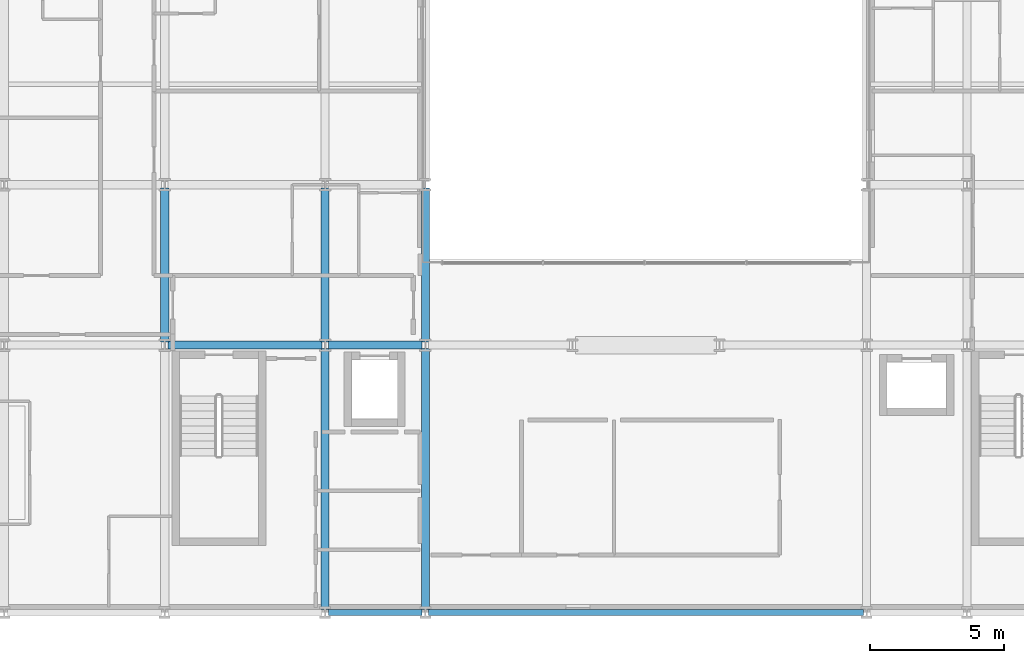
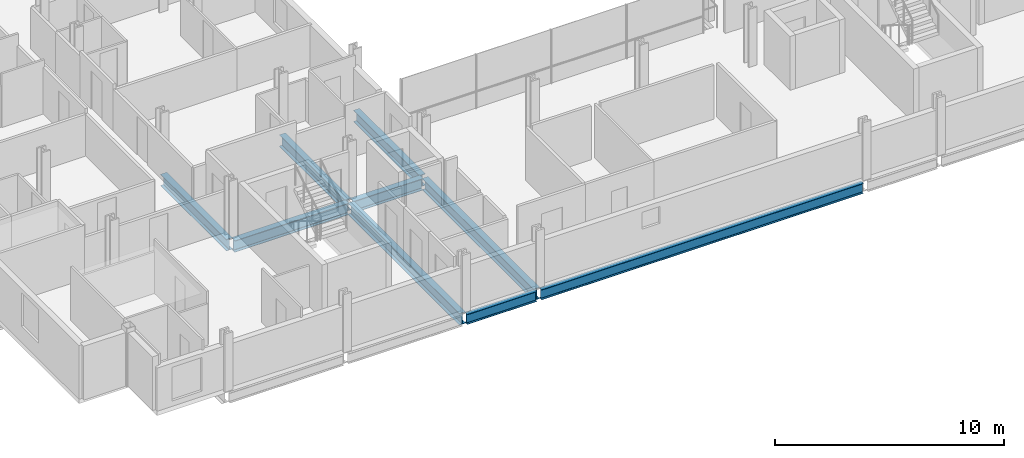
# One storey, part 3 of 38: 9 beams.
"""IFC4 building model written with IfcOpenShell, lengths in metres."""

import ifcopenshell
import ifcopenshell.guid

model = None  # the IFC model being written
_history = None  # IfcOwnerHistory: only IFC2X3 demands one
_inside = {}  # id of a spatial element -> (the spatial element, [elements in it])
_under = {}  # id of a project, library or spatial element -> (it, [spatial elements below it])
_declared = {}  # id of a project -> (the project, [libraries it declares])
_typed = {}  # id of a type object -> (the type object, [elements of that type])
_made_of = {}  # id of a material, layer set ... -> (it, [elements and type objects made of it])


def new_model(schema):
    """Start an empty IFC model of exactly this schema.

    Asked for "IFC4X3", IfcOpenShell would pick the latest addendum, in which some entities
    have other attributes; the version numbers below select the first issue.
    IFC2X3 requires an IfcOwnerHistory on every rooted entity: one is made here for all.
    """
    global model, _history
    if schema == "IFC4X3":
        model = ifcopenshell.file(schema_version=(4, 3, 0, 0))
    else:
        model = ifcopenshell.file(schema=schema)
    _inside.clear()
    _under.clear()
    _declared.clear()
    _typed.clear()
    _made_of.clear()
    _history = None
    if model.schema == "IFC2X3":
        org = make("IfcOrganization", Name="unknown")
        user = make(
            "IfcPersonAndOrganization",
            ThePerson=make("IfcPerson", FamilyName="unknown"),
            TheOrganization=org,
        )
        app = make(
            "IfcApplication",
            ApplicationDeveloper=org,
            Version="unknown",
            ApplicationFullName="unknown",
            ApplicationIdentifier="unknown",
        )
        _history = make(
            "IfcOwnerHistory",
            OwningUser=user,
            OwningApplication=app,
            ChangeAction="ADDED",
            CreationDate=0,
        )
    return model


def make(cls, **values):
    """One entity of the class cls with the attributes given. An attribute that is None is left unset."""
    return model.create_entity(
        cls, **{name: value for name, value in values.items() if value is not None}
    )


def rooted(cls, **values):
    """An entity with a GlobalId (a new one), such as an element, a storey or a relation."""
    return make(cls, GlobalId=ifcopenshell.guid.new(), OwnerHistory=_history, **values)


def si_unit(unit_type, name, prefix=None):
    """IfcSIUnit, for example si_unit("LENGTHUNIT", "METRE", prefix="MILLI")."""
    return make("IfcSIUnit", UnitType=unit_type, Prefix=prefix, Name=name)


def assignment(units):
    """IfcUnitAssignment: the units of a project."""
    return None if units is None else make("IfcUnitAssignment", Units=units)


def point(xyz):
    """IfcCartesianPoint."""
    return None if xyz is None else make("IfcCartesianPoint", Coordinates=xyz)


def direction(xyz):
    """IfcDirection."""
    return None if xyz is None else make("IfcDirection", DirectionRatios=xyz)


def frame(location, z_axis=None, x_axis=None):
    """IfcAxis2Placement3D, a coordinate frame: its origin and axes. An axis left out is left unset."""
    return make(
        "IfcAxis2Placement3D",
        Location=point(location),
        Axis=direction(z_axis),
        RefDirection=direction(x_axis),
    )


def frame_2d(location, x_axis=None):
    """IfcAxis2Placement2D, a coordinate frame in the plane: its origin and x axis."""
    return make(
        "IfcAxis2Placement2D", Location=point(location), RefDirection=direction(x_axis)
    )


def origin():
    """The frame at (0, 0, 0) with its axes left unset."""
    return frame((0.0, 0.0, 0.0))


def origin_2d():
    """The frame at (0, 0) in the plane with its x axis left unset."""
    return frame_2d((0.0, 0.0))


def place(relative_to, where):
    """IfcLocalPlacement: puts the frame where relative to a parent placement (None: the world)."""
    return make(
        "IfcLocalPlacement", PlacementRelTo=relative_to, RelativePlacement=where
    )


def context(
    kind, dimensions, precision=None, world=None, true_north=None, identifier=None
):
    """IfcGeometricRepresentationContext, for example the 3D "Model" context."""
    return make(
        "IfcGeometricRepresentationContext",
        ContextIdentifier=identifier,
        ContextType=kind,
        CoordinateSpaceDimension=dimensions,
        Precision=precision,
        WorldCoordinateSystem=world,
        TrueNorth=true_north,
    )


def subcontext(parent, identifier, kind, view, scale=None):
    """IfcGeometricRepresentationSubContext, for example "Body" below "Model"."""
    return make(
        "IfcGeometricRepresentationSubContext",
        ContextIdentifier=identifier,
        ContextType=kind,
        ParentContext=parent,
        TargetScale=scale,
        TargetView=view,
    )


def project(units=None, contexts=None):
    """IfcProject with its units and contexts."""
    return rooted(
        "IfcProject",
        Name="project",
        RepresentationContexts=contexts,
        UnitsInContext=assignment(units),
    )


def spatial(cls, under=None, at=None, **own):
    """A site, building, storey or space (cls), placed at a placement, below another one or the project."""
    s = rooted(cls, ObjectPlacement=at, **own)
    if under is not None:
        _under.setdefault(under.id(), (under, []))[1].append(s)
    return s


def profile(cls, at=None, kind="AREA", **sizes):
    """A parametric profile (cls). Its sizes go by their IFC names, for example OverallWidth=200.0."""
    return make(cls, ProfileType=kind, Position=at, **sizes)


def i_section(**sizes):
    """IfcIShapeProfileDef."""
    return profile("IfcIShapeProfileDef", **sizes)


def extrude(swept, where, along, depth):
    """IfcExtrudedAreaSolid: the profile swept, set in the frame where, extruded along a direction by depth."""
    return make(
        "IfcExtrudedAreaSolid",
        SweptArea=swept,
        Position=where,
        ExtrudedDirection=direction(along),
        Depth=depth,
    )


def shape(context_of_items, identifier, shape_type, items):
    """IfcShapeRepresentation: the items that make up one representation, for example the "Body"."""
    return make(
        "IfcShapeRepresentation",
        ContextOfItems=context_of_items,
        RepresentationIdentifier=identifier,
        RepresentationType=shape_type,
        Items=items,
    )


def material(Name=None, Category=None):
    """IfcMaterial."""
    return make("IfcMaterial", Name=Name, Category=Category)


def material_profile(
    of_material, cross_section, Name=None, Category=None, Priority=None
):
    """IfcMaterialProfile: a cross section and its material."""
    return make(
        "IfcMaterialProfile",
        Name=Name,
        Material=of_material,
        Profile=cross_section,
        Priority=Priority,
        Category=Category,
    )


def profile_set(profiles, Name=None, composite=None):
    """IfcMaterialProfileSet."""
    return make(
        "IfcMaterialProfileSet",
        Name=Name,
        MaterialProfiles=profiles,
        CompositeProfile=composite,
    )


def made_of(thing, what):
    """Note that an element or type object is made of a material, layer set ...; save() writes the relation."""
    if what is not None:
        _made_of.setdefault(what.id(), (what, []))[1].append(thing)
    return thing


def type_object(cls, material=None, **own):
    """A type object (cls), such as IfcWallType, which elements share."""
    return made_of(rooted(cls, **own), material)


def element(
    cls,
    number,
    at=None,
    inside=None,
    cuts=None,
    type_object=None,
    material=None,
    context=None,
    identifier="Body",
    shape_type=None,
    held_by="IfcProductDefinitionShape",
    body=None,
    shapes=None,
    **own,
):
    """One element of the class cls, such as IfcWall. Its Tag is "e" and its number.

    at: its placement. inside: the storey or other place that contains it. cuts: it is an
    opening in that element (IfcRelVoidsElement). A single representation is given by context,
    identifier, shape_type and body (its items); several are given by shapes. held_by: the class
    of the entity that holds the representations. save() writes the other relations.
    """
    e = rooted(cls, Tag="e%d" % number, ObjectPlacement=at, **own)
    if body is not None:
        shapes = [shape(context, identifier, shape_type, body)]
    if shapes is not None:
        e.Representation = make(held_by, Representations=shapes)
    if inside is not None:
        _inside.setdefault(inside.id(), (inside, []))[1].append(e)
    if cuts is not None:
        rooted(
            "IfcRelVoidsElement", RelatingBuildingElement=cuts, RelatedOpeningElement=e
        )
    if type_object is not None:
        _typed.setdefault(type_object.id(), (type_object, []))[1].append(e)
    return made_of(e, material)


def aggregate(whole, parts):
    """IfcRelAggregates: a whole, such as a stair, and the parts it consists of."""
    return rooted("IfcRelAggregates", RelatingObject=whole, RelatedObjects=parts)


def save(model, path):
    """Write the relations noted so far, then the file.

    IfcRelAggregates (storeys below a building ...), IfcRelContainedInSpatialStructure (elements
    in a storey), IfcRelDefinesByType, IfcRelAssociatesMaterial and IfcRelDeclares: one each for
    every whole, place, type object, material and project.
    """
    for whole, parts in _under.values():
        aggregate(whole, parts)
    for where, things in _inside.values():
        rooted(
            "IfcRelContainedInSpatialStructure",
            RelatedElements=things,
            RelatingStructure=where,
        )
    for kind, things in _typed.values():
        rooted("IfcRelDefinesByType", RelatedObjects=things, RelatingType=kind)
    for what, things in _made_of.values():
        rooted("IfcRelAssociatesMaterial", RelatedObjects=things, RelatingMaterial=what)
    for by, libraries in _declared.values():
        rooted("IfcRelDeclares", RelatingContext=by, RelatedDefinitions=libraries)
    model.write(path)


model = new_model("IFC4")

# Units and contexts
model_context = context("Model", 3, precision=1e-05, world=origin(), true_north=direction((0.0, 1.0)))
body_context = subcontext(model_context, "Body", "Model", "MODEL_VIEW")
ifc_project = project(units=[si_unit("LENGTHUNIT", "METRE"), si_unit("AREAUNIT", "SQUARE_METRE"), si_unit("VOLUMEUNIT", "CUBIC_METRE"), si_unit("PLANEANGLEUNIT", "RADIAN"), si_unit("MASSUNIT", "GRAM", prefix="KILO")], contexts=[model_context])

# Site, building, storey
site_placement = place(None, origin())
site = spatial("IfcSite", under=ifc_project, at=site_placement, CompositionType="ELEMENT")
building_placement = place(site_placement, origin())
building = spatial("IfcBuilding", under=site, at=building_placement, Name="Brevholm Reach", CompositionType="ELEMENT")
storey_placement = place(building_placement, frame((0.0, 0.0, 52.800048828125)))
storey = spatial("IfcBuildingStorey", under=building, at=storey_placement, Name="L14", CompositionType="ELEMENT", Elevation=52.800048828125)

# Beams
ifc_material_1 = material(Name="Structural Steel S355J2", Category="steel")
ifc_material_profile_1 = material_profile(ifc_material_1, i_section(OverallWidth=0.210693359375, OverallDepth=0.53955078125, WebThickness=0.01171875, FlangeThickness=0.018798828125, FilletRadius=0.0126953125, at=origin_2d()), Name="UKB 533x210x109")
ifc_profile_set_1 = profile_set([ifc_material_profile_1], Name="Structural Steel S355J2")
beam_type_1 = type_object("IfcBeamType", Name="BM-SP539", PredefinedType="SPANDREL", material=ifc_profile_set_1)
beam_1_placement = place(storey_placement, frame((18.1201171875, 0.0, -0.499755859375), z_axis=(1.0, 0.0, 0.0), x_axis=(0.0, 1.0, 0.0)))
element("IfcBeam", 1, at=beam_1_placement, inside=storey, type_object=beam_type_1, Name="L14 SP-01B Framing Beam", PredefinedType="SPANDREL", context=body_context, shape_type="SweptSolid", body=[
    extrude(i_section(OverallWidth=0.210693359375, OverallDepth=0.53955078125, WebThickness=0.01171875, FlangeThickness=0.018798828125, FilletRadius=0.0126953125, at=origin_2d()), origin(), (0.0, 0.0, 1.0), 3.509765625),
])
beam_2_placement = place(storey_placement, frame((21.8701171875, 0.0, -0.499755859375), z_axis=(1.0, 0.0, 0.0), x_axis=(0.0, 1.0, 0.0)))
element("IfcBeam", 2, at=beam_2_placement, inside=storey, type_object=beam_type_1, Name="L14 SP-01B Framing Beam", PredefinedType="SPANDREL", context=body_context, shape_type="SweptSolid", body=[
    extrude(i_section(OverallWidth=0.210693359375, OverallDepth=0.53955078125, WebThickness=0.01171875, FlangeThickness=0.018798828125, FilletRadius=0.0126953125, at=origin_2d()), origin(), (0.0, 0.0, 1.0), 16.259765625),
])
ifc_material_2 = material(Name="Structural Steel S355J2", Category="steel")
ifc_material_profile_2 = material_profile(ifc_material_2, i_section(OverallWidth=0.30712890625, OverallDepth=0.6201171875, WebThickness=0.01416015625, FlangeThickness=0.023681640625, FilletRadius=0.0166015625, at=origin_2d()), Name="UKB 610x305x179")
ifc_profile_set_2 = profile_set([ifc_material_profile_2], Name="Structural Steel S355J2")
beam_type_2 = type_object("IfcBeamType", Name="BM-UKB610H", PredefinedType="USERDEFINED", material=ifc_profile_set_2)
beam_3_placement = place(storey_placement, frame((12.1201171875, 10.0, -0.5400390625), z_axis=(1.0, 0.0, 0.0), x_axis=(0.0, 1.0, 0.0)))
element("IfcBeam", 3, at=beam_3_placement, inside=storey, type_object=beam_type_2, Name="L14 G-06 Framing Beam", ObjectType="GIRDER", PredefinedType="USERDEFINED", context=body_context, shape_type="SweptSolid", body=[
    extrude(i_section(OverallWidth=0.30712890625, OverallDepth=0.6201171875, WebThickness=0.01416015625, FlangeThickness=0.023681640625, FilletRadius=0.0166015625, at=origin_2d()), origin(), (0.0, 0.0, 1.0), 5.759765625),
])
beam_4_placement = place(storey_placement, frame((18.1201171875, 10.0, -0.5400390625), z_axis=(1.0, 0.0, 0.0), x_axis=(0.0, 1.0, 0.0)))
element("IfcBeam", 4, at=beam_4_placement, inside=storey, type_object=beam_type_2, Name="L14 G-06 Framing Beam", ObjectType="GIRDER", PredefinedType="USERDEFINED", context=body_context, shape_type="SweptSolid", body=[
    extrude(i_section(OverallWidth=0.30712890625, OverallDepth=0.6201171875, WebThickness=0.01416015625, FlangeThickness=0.023681640625, FilletRadius=0.0166015625, at=origin_2d()), origin(), (0.0, 0.0, 1.0), 3.509765625),
])
beam_5_placement = place(storey_placement, frame((12.0, 10.1201171875, -0.5400390625), z_axis=(0.0, 1.0, 0.0), x_axis=(-1.0, 0.0, 0.0)))
element("IfcBeam", 5, at=beam_5_placement, inside=storey, type_object=beam_type_2, Name="L14 G-06 Framing Beam", ObjectType="GIRDER", PredefinedType="USERDEFINED", context=body_context, shape_type="SweptSolid", body=[
    extrude(i_section(OverallWidth=0.30712890625, OverallDepth=0.6201171875, WebThickness=0.01416015625, FlangeThickness=0.023681640625, FilletRadius=0.0166015625, at=origin_2d()), origin(), (0.0, 0.0, 1.0), 5.759765625),
])
beam_6_placement = place(storey_placement, frame((18.0, 0.1201171875, -0.5400390625), z_axis=(0.0, 1.0, 0.0), x_axis=(-1.0, 0.0, 0.0)))
element("IfcBeam", 6, at=beam_6_placement, inside=storey, type_object=beam_type_2, Name="L14 G-06 Framing Beam", ObjectType="GIRDER", PredefinedType="USERDEFINED", context=body_context, shape_type="SweptSolid", body=[
    extrude(i_section(OverallWidth=0.30712890625, OverallDepth=0.6201171875, WebThickness=0.01416015625, FlangeThickness=0.023681640625, FilletRadius=0.0166015625, at=origin_2d()), origin(), (0.0, 0.0, 1.0), 9.759765625),
])
beam_7_placement = place(storey_placement, frame((18.0, 10.1201171875, -0.5400390625), z_axis=(0.0, 1.0, 0.0), x_axis=(-1.0, 0.0, 0.0)))
element("IfcBeam", 7, at=beam_7_placement, inside=storey, type_object=beam_type_2, Name="L14 G-06 Framing Beam", ObjectType="GIRDER", PredefinedType="USERDEFINED", context=body_context, shape_type="SweptSolid", body=[
    extrude(i_section(OverallWidth=0.30712890625, OverallDepth=0.6201171875, WebThickness=0.01416015625, FlangeThickness=0.023681640625, FilletRadius=0.0166015625, at=origin_2d()), origin(), (0.0, 0.0, 1.0), 5.759765625),
])
beam_8_placement = place(storey_placement, frame((21.75, 0.1201171875, -0.5400390625), z_axis=(0.0, 1.0, 0.0), x_axis=(-1.0, 0.0, 0.0)))
element("IfcBeam", 8, at=beam_8_placement, inside=storey, type_object=beam_type_2, Name="L14 G-06 Framing Beam", ObjectType="GIRDER", PredefinedType="USERDEFINED", context=body_context, shape_type="SweptSolid", body=[
    extrude(i_section(OverallWidth=0.30712890625, OverallDepth=0.6201171875, WebThickness=0.01416015625, FlangeThickness=0.023681640625, FilletRadius=0.0166015625, at=origin_2d()), origin(), (0.0, 0.0, 1.0), 9.759765625),
])
beam_9_placement = place(storey_placement, frame((21.75, 10.1201171875, -0.5400390625), z_axis=(0.0, 1.0, 0.0), x_axis=(-1.0, 0.0, 0.0)))
element("IfcBeam", 9, at=beam_9_placement, inside=storey, type_object=beam_type_2, Name="L14 G-06 Framing Beam", ObjectType="GIRDER", PredefinedType="USERDEFINED", context=body_context, shape_type="SweptSolid", body=[
    extrude(i_section(OverallWidth=0.30712890625, OverallDepth=0.6201171875, WebThickness=0.01416015625, FlangeThickness=0.023681640625, FilletRadius=0.0166015625, at=origin_2d()), origin(), (0.0, 0.0, 1.0), 5.759765625),
])

save(model, "model.ifc")
